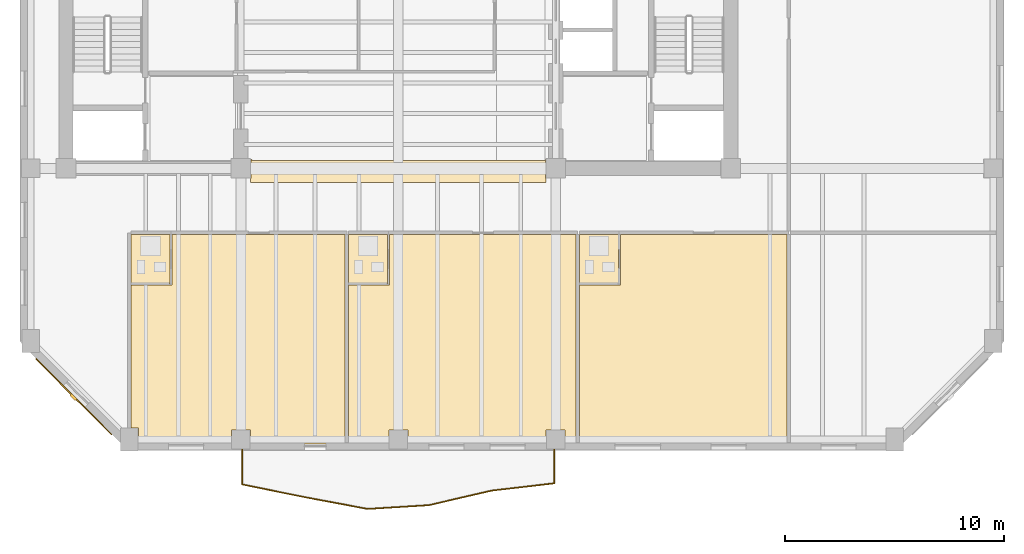
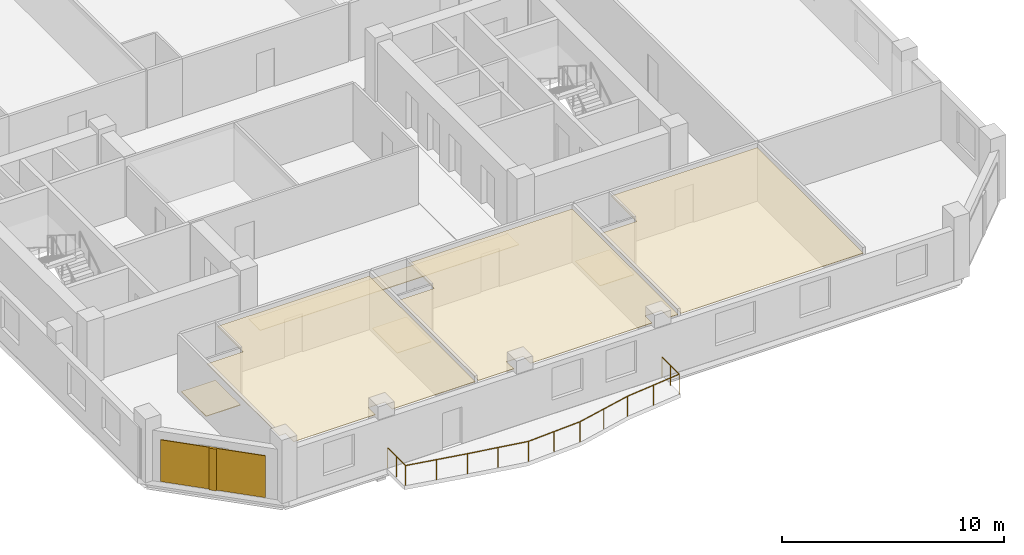
# One storey, part 6 of 9: 8 coverings, 1 railing, 1 shading device.
"""IFC4 building model written with IfcOpenShell, lengths in metres."""

from ifc_helpers import new_model, si_unit, direction, frame, origin, origin_2d, place, context, subcontext, project, spatial, polyline, rectangle, circle, outline, extrude, material, layer, layer_set, type_object, element, save


model = new_model("IFC4")

# Units and contexts
model_context = context("Model", 3, precision=1e-05, world=origin(), true_north=direction((0.0, 1.0)))
body_context = subcontext(model_context, "Body", "Model", "MODEL_VIEW")
ifc_project = project(units=[si_unit("LENGTHUNIT", "METRE"), si_unit("AREAUNIT", "SQUARE_METRE"), si_unit("VOLUMEUNIT", "CUBIC_METRE"), si_unit("PLANEANGLEUNIT", "RADIAN"), si_unit("MASSUNIT", "GRAM", prefix="KILO")], contexts=[model_context])

# Site, building, storey
site_placement = place(None, origin())
site = spatial("IfcSite", under=ifc_project, at=site_placement, CompositionType="ELEMENT")
building_placement = place(site_placement, origin())
building = spatial("IfcBuilding", under=site, at=building_placement, Name="Kranthara Brick Stack", CompositionType="ELEMENT")
storey_placement = place(building_placement, frame((0.0, 0.0, 169.300048828125)))
storey = spatial("IfcBuildingStorey", under=building, at=storey_placement, Name="L43", CompositionType="ELEMENT", Elevation=169.300048828125)

# Coverings
ifc_material_1 = material(Name="Perforated mineral-fibre acoustic ceiling tile", Category="other")
ifc_layer_1 = layer(ifc_material_1, 0.02490234375)
ifc_layer_set_1 = layer_set([ifc_layer_1], Name="Perforated mineral-fibre acoustic ceiling tile")
covering_type_1 = type_object("IfcCoveringType", Name="COV-CEIL-ACOUSTIC", PredefinedType="CEILING", material=ifc_layer_set_1)
covering_1_placement = place(storey_placement, frame((0.0, 0.0, 2.929931640625)))
element("IfcCovering", 1, at=covering_1_placement, inside=storey, type_object=covering_type_1, Name="L43 Room L43-01 Corner Junior Suite Acoustic Ceiling", PredefinedType="CEILING", context=body_context, shape_type="SweptSolid", body=[
    extrude(outline(polyline([(17.659912109375, 15.4599609375), (17.659912109375, 17.77001953125), (25.569091796875, 17.77001953125), (25.569091796875, 8.199951171875), (21.235107421875, 8.199951171875), (21.235107421875, 8.8349609375), (20.364990234375, 8.8349609375), (20.364990234375, 8.199951171875), (16.110107421875, 8.199951171875), (16.110107421875, 8.93505859375), (15.780029296875, 8.93505859375), (15.780029296875, 15.4599609375), (17.659912109375, 15.4599609375)])), origin(), (0.0, 0.0, 1.0), 0.02490234375),
])
covering_2_placement = place(storey_placement, frame((0.0, 0.0, 2.929931640625)))
element("IfcCovering", 2, at=covering_2_placement, inside=storey, type_object=covering_type_1, Name="L43 Room L43-02 Corner Junior Suite Acoustic Ceiling", PredefinedType="CEILING", context=body_context, shape_type="SweptSolid", body=[
    extrude(outline(polyline([(25.72900390625, 15.4599609375), (27.60888671875, 15.4599609375), (27.60888671875, 17.77001953125), (36.1220703125, 17.77001953125), (36.1220703125, 8.199951171875), (35.635009765625, 8.199951171875), (35.635009765625, 8.8349609375), (34.764892578125, 8.8349609375), (34.764892578125, 8.199951171875), (28.43505859375, 8.199951171875), (28.43505859375, 8.8349609375), (27.56494140625, 8.8349609375), (27.56494140625, 8.199951171875), (25.72900390625, 8.199951171875), (25.72900390625, 15.4599609375)])), origin(), (0.0, 0.0, 1.0), 0.02490234375),
])
covering_3_placement = place(storey_placement, frame((0.0, 0.0, 2.929931640625)))
element("IfcCovering", 3, at=covering_3_placement, inside=storey, type_object=covering_type_1, Name="L43 Room L43-03 Corner Junior Suite Acoustic Ceiling", PredefinedType="CEILING", context=body_context, shape_type="SweptSolid", body=[
    extrude(outline(polyline([(36.281982421875, 8.199951171875), (45.77001953125, 8.199951171875), (45.77001953125, 17.77001953125), (38.162109375, 17.77001953125), (38.162109375, 15.4599609375), (36.281982421875, 15.4599609375), (36.281982421875, 8.199951171875)])), origin(), (0.0, 0.0, 1.0), 0.02490234375),
])
ifc_material_2 = material(Name="Warm buff kiln-fired brick slip rainscreen", Category="masonry")
ifc_layer_2 = layer(ifc_material_2, 0.044921875)
ifc_layer_set_2 = layer_set([ifc_layer_2], Name="Warm buff kiln-fired brick slip rainscreen")
covering_type_2 = type_object("IfcCoveringType", Name="COV-CLAD-BRICK", PredefinedType="CLADDING", material=ifc_layer_set_2)
covering_4_placement = place(storey_placement, frame((13.15966796875, 10.359619140625, 0.0498046875), z_axis=(0.0, 0.0, 1.0), x_axis=(-0.707106781187, 0.707106781187, 0.0)))
element("IfcCovering", 4, at=covering_4_placement, inside=storey, type_object=covering_type_2, Name="L43 Chamfer Brick Rainscreen Cladding SW", PredefinedType="CLADDING", context=body_context, shape_type="SweptSolid", body=[
    extrude(rectangle(XDim=4.89306640625, YDim=0.044921875, at=origin_2d()), origin(), (0.0, 0.0, 1.0), 2.300048828125),
])
ifc_material_3 = material(Name="Honed terrazzo and porcelain floor finish", Category="stone")
ifc_layer_3 = layer(ifc_material_3, 0.030029296875)
ifc_layer_set_3 = layer_set([ifc_layer_3], Name="Honed terrazzo and porcelain floor finish")
covering_type_3 = type_object("IfcCoveringType", Name="COV-FLOR-STONE", PredefinedType="FLOORING", material=ifc_layer_set_3)
covering_5_placement = place(storey_placement, origin())
element("IfcCovering", 5, at=covering_5_placement, inside=storey, type_object=covering_type_3, Name="L43 Lift Lobby Stone Flooring", PredefinedType="FLOORING", context=body_context, shape_type="SweptSolid", body=[
    extrude(outline(polyline([(21.25, 20.340087890625), (21.260009765625, 20.340087890625), (21.260009765625, 21.199951171875), (21.300048828125, 21.199951171875), (21.300048828125, 21.14990234375), (32.47998046875, 21.14990234375), (34.699951171875, 21.14990234375), (34.699951171875, 21.199951171875), (34.739990234375, 21.199951171875), (34.739990234375, 20.340087890625), (34.75, 20.340087890625), (34.75, 20.14990234375), (21.25, 20.14990234375), (21.25, 20.340087890625)])), origin(), (0.0, 0.0, 1.0), 0.030029296875),
])
covering_6_placement = place(storey_placement, origin())
element("IfcCovering", 6, at=covering_6_placement, inside=storey, type_object=covering_type_3, Name="L43 Wet Room Porcelain Flooring", PredefinedType="FLOORING", context=body_context, shape_type="SweptSolid", body=[
    extrude(outline(polyline([(15.780029296875, 15.52001953125), (15.780029296875, 17.77001953125), (17.56005859375, 17.77001953125), (17.56005859375, 15.52001953125), (15.780029296875, 15.52001953125)])), origin(), (0.0, 0.0, 1.0), 0.030029296875),
])
covering_7_placement = place(storey_placement, origin())
element("IfcCovering", 7, at=covering_7_placement, inside=storey, type_object=covering_type_3, Name="L43 Wet Room Porcelain Flooring", PredefinedType="FLOORING", context=body_context, shape_type="SweptSolid", body=[
    extrude(outline(polyline([(25.72900390625, 15.52001953125), (25.72900390625, 17.77001953125), (27.509033203125, 17.77001953125), (27.509033203125, 15.52001953125), (25.72900390625, 15.52001953125)])), origin(), (0.0, 0.0, 1.0), 0.030029296875),
])
covering_8_placement = place(storey_placement, origin())
element("IfcCovering", 8, at=covering_8_placement, inside=storey, type_object=covering_type_3, Name="L43 Wet Room Porcelain Flooring", PredefinedType="FLOORING", context=body_context, shape_type="SweptSolid", body=[
    extrude(outline(polyline([(36.281982421875, 15.52001953125), (36.281982421875, 17.77001953125), (38.06201171875, 17.77001953125), (38.06201171875, 15.52001953125), (36.281982421875, 15.52001953125)])), origin(), (0.0, 0.0, 1.0), 0.030029296875),
])

# Railing
ifc_material_4 = material(Name="Bronze anodised aluminium and laminated glass balustrade", Category="aluminium")
railing_type = type_object("IfcRailingType", Name="RL-BALC-1120", PredefinedType="BALUSTRADE", material=ifc_material_4)
railing_placement = place(storey_placement, frame((35.139892578125, 7.9599609375, 0.0)))
element("IfcRailing", 9, at=railing_placement, inside=storey, type_object=railing_type, Name="L43 South Rippling Balcony Balustrade", PredefinedType="BALUSTRADE", context=body_context, shape_type="SweptSolid", body=[
    extrude(circle(Radius=0.02392578125, at=origin_2d()), frame((0.0, 0.0, 1.09619140625), z_axis=(0.0, -1.0, 0.0), x_axis=(1.0, 0.0, 0.0)), (0.0, 0.0, 1.0), 1.562744140625),
    extrude(circle(Radius=0.02392578125, at=origin_2d()), frame((0.0, -1.562744140625, 1.09619140625), z_axis=(-0.993265077314, -0.115864084977, 0.0), x_axis=(0.115864084977, -0.993265077314, 0.0)), (0.0, 0.0, 1.0), 2.8994140625),
    extrude(circle(Radius=0.02392578125, at=origin_2d()), frame((-2.8798828125, -1.898681640625, 1.09619140625), z_axis=(-0.974177017458, -0.225785603298, 0.0), x_axis=(0.225785603298, -0.974177017458, 0.0)), (0.0, 0.0, 1.0), 2.945556640625),
    extrude(circle(Radius=0.02392578125, at=origin_2d()), frame((-5.749267578125, -2.563720703125, 1.09619140625), z_axis=(-0.998094578031, -0.061702619915, 0.0), x_axis=(0.061702619915, -0.998094578031, 0.0)), (0.0, 0.0, 1.0), 2.78955078125),
    extrude(circle(Radius=0.02392578125, at=origin_2d()), frame((-8.533447265625, -2.73583984375, 1.09619140625), z_axis=(-0.983020651428, 0.183494955968, 0.0), x_axis=(-0.183494955968, -0.983020651428, 0.0)), (0.0, 0.0, 1.0), 2.91650390625),
    extrude(circle(Radius=0.02392578125, at=origin_2d()), frame((-11.400390625, -2.20068359375, 1.09619140625), z_axis=(-0.979851866, 0.199725613521, 0.0), x_axis=(-0.199725613521, -0.979851866, 0.0)), (0.0, 0.0, 1.0), 2.938720703125),
    extrude(circle(Radius=0.02392578125, at=origin_2d()), frame((-14.27978515625, -1.61376953125, 1.09619140625), z_axis=(0.0, 1.0, 0.0), x_axis=(-1.0, 0.0, 0.0)), (0.0, 0.0, 1.0), 1.61376953125),
    extrude(circle(Radius=0.02099609375, at=origin_2d()), origin(), (0.0, 0.0, 1.0), 1.072021484375),
    extrude(circle(Radius=0.02099609375, at=origin_2d()), frame((0.0, -0.78125, 0.0)), (0.0, 0.0, 1.0), 1.072021484375),
    extrude(circle(Radius=0.02099609375, at=origin_2d()), frame((0.0, -1.562744140625, 0.0)), (0.0, 0.0, 1.0), 1.072021484375),
    extrude(circle(Radius=0.02099609375, at=origin_2d()), frame((-1.43994140625, -1.730712890625, 0.0)), (0.0, 0.0, 1.0), 1.072021484375),
    extrude(circle(Radius=0.02099609375, at=origin_2d()), frame((-2.8798828125, -1.898681640625, 0.0)), (0.0, 0.0, 1.0), 1.072021484375),
    extrude(circle(Radius=0.02099609375, at=origin_2d()), frame((-4.314453125, -2.231201171875, 0.0)), (0.0, 0.0, 1.0), 1.072021484375),
    extrude(circle(Radius=0.02099609375, at=origin_2d()), frame((-5.749267578125, -2.563720703125, 0.0)), (0.0, 0.0, 1.0), 1.072021484375),
    extrude(circle(Radius=0.02099609375, at=origin_2d()), frame((-7.141357421875, -2.64990234375, 0.0)), (0.0, 0.0, 1.0), 1.072021484375),
    extrude(circle(Radius=0.02099609375, at=origin_2d()), frame((-8.533447265625, -2.73583984375, 0.0)), (0.0, 0.0, 1.0), 1.072021484375),
    extrude(circle(Radius=0.02099609375, at=origin_2d()), frame((-9.966796875, -2.46826171875, 0.0)), (0.0, 0.0, 1.0), 1.072021484375),
    extrude(circle(Radius=0.02099609375, at=origin_2d()), frame((-11.400390625, -2.20068359375, 0.0)), (0.0, 0.0, 1.0), 1.072021484375),
    extrude(circle(Radius=0.02099609375, at=origin_2d()), frame((-12.840087890625, -1.9072265625, 0.0)), (0.0, 0.0, 1.0), 1.072021484375),
    extrude(circle(Radius=0.02099609375, at=origin_2d()), frame((-14.27978515625, -1.61376953125, 0.0)), (0.0, 0.0, 1.0), 1.072021484375),
    extrude(circle(Radius=0.02099609375, at=origin_2d()), frame((-14.27978515625, -0.806884765625, 0.0)), (0.0, 0.0, 1.0), 1.072021484375),
    extrude(circle(Radius=0.02099609375, at=origin_2d()), frame((-14.27978515625, 0.0, 0.0)), (0.0, 0.0, 1.0), 1.072021484375),
])

# Shading device
ifc_material_5 = material(Name="Kiln-fired terracotta aerodynamic wind fin", Category="masonry")
shading_device_type = type_object("IfcShadingDeviceType", Name="SHD-BAFFLE-CORNER", PredefinedType="SHUTTER", material=ifc_material_5)
shading_device_placement = place(storey_placement, frame((13.138427734375, 10.33837890625, 0.0498046875), z_axis=(0.0, 0.0, 1.0), x_axis=(-0.707106781187, 0.707106781187, 0.0)))
element("IfcShadingDevice", 10, at=shading_device_placement, inside=storey, type_object=shading_device_type, Name="L43 Chamfer Wind-Baffle Fin SW", PredefinedType="SHUTTER", context=body_context, shape_type="SweptSolid", body=[
    extrude(rectangle(XDim=0.35009765625, YDim=0.1201171875, at=origin_2d()), origin(), (0.0, 0.0, 1.0), 2.300048828125),
])

save(model, "model.ifc")
